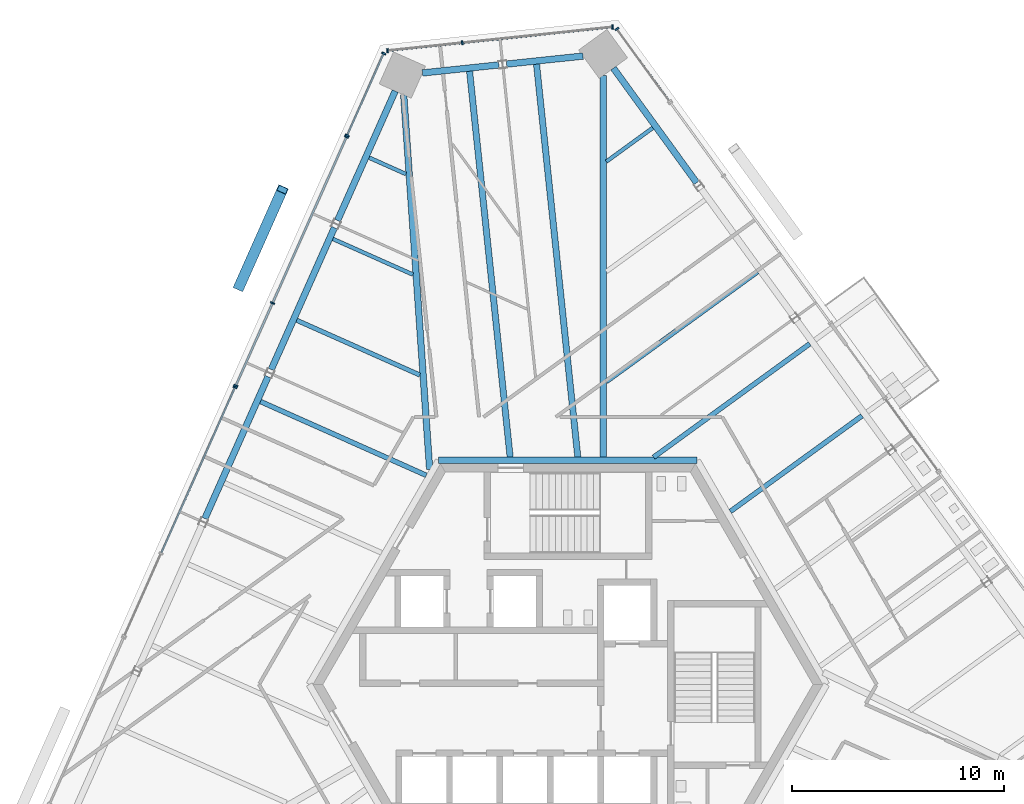
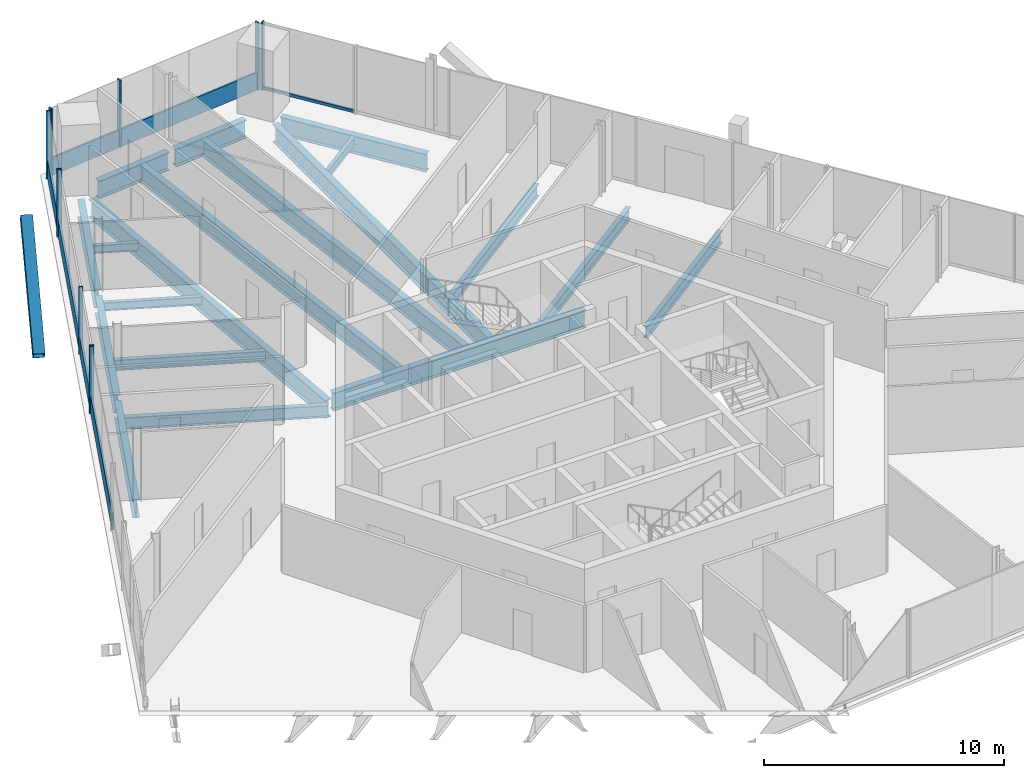
# One storey, part 8 of 19: 19 beams, 18 members, 5 elements without a shape of their own.
"""IFC4 building model written with IfcOpenShell, lengths in metres."""

from ifc_helpers import new_model, si_unit, direction, frame, origin, origin_2d, place, context, subcontext, project, spatial, rectangle, hollow_rectangle, i_section, extrude, source, transform, mapped, material, material_profile, profile_set, type_object, element, aggregate, save


model = new_model("IFC4")

# Units and contexts
model_context = context("Model", 3, precision=1e-05, world=origin(), true_north=direction((0.0, 1.0)))
body_context = subcontext(model_context, "Body", "Model", "MODEL_VIEW")
ifc_project = project(units=[si_unit("LENGTHUNIT", "METRE"), si_unit("AREAUNIT", "SQUARE_METRE"), si_unit("VOLUMEUNIT", "CUBIC_METRE"), si_unit("PLANEANGLEUNIT", "RADIAN"), si_unit("MASSUNIT", "GRAM", prefix="KILO")], contexts=[model_context])

# Site, building, storey
site_placement = place(None, origin())
site = spatial("IfcSite", under=ifc_project, at=site_placement, CompositionType="ELEMENT")
building_placement = place(site_placement, origin())
building = spatial("IfcBuilding", under=site, at=building_placement, Name="Triune Harvest Tower", CompositionType="ELEMENT")
storey_placement = place(building_placement, frame((0.0, 0.0, 244.89990234375)))
storey = spatial("IfcBuildingStorey", under=building, at=storey_placement, Name="L64", CompositionType="ELEMENT", Elevation=244.89990234375)

# Curtain wall, member
ifc_material_1 = material(Name="Aluminium bronze anodised", Category="aluminium")
curtain_wall_type_1 = type_object("IfcCurtainWallType", Name="CW-6 Balcony window wall", PredefinedType="NOTDEFINED", material=ifc_material_1)
curtain_wall_1_placement = place(storey_placement, origin())
curtain_wall_1 = element("IfcCurtainWall", 1, at=curtain_wall_1_placement, inside=storey, type_object=curtain_wall_type_1, Name="CW-6 B6-F1 L64 run 1002")
ifc_material_2 = material(Name="Aluminium bronze anodised", Category="aluminium")
ifc_material_profile_1 = material_profile(ifc_material_2, rectangle(XDim=0.090087890625, YDim=0.14990234375, at=origin_2d()), Name="TR-6 transom 90 x 150")
ifc_profile_set_1 = profile_set([ifc_material_profile_1], Name="Aluminium bronze anodised")
member_type_1 = type_object("IfcMemberType", Name="TR-6 transom 90 x 150", PredefinedType="USERDEFINED", material=ifc_profile_set_1)
member_1_placement = place(storey_placement, frame((4.76171875, 27.47802734375, 0.0751953125), z_axis=(-0.587779257548, 0.809021349778, 0.0), x_axis=(-0.809021349778, -0.587779257548, 0.0)))
member_1 = element("IfcMember", 2, at=member_1_placement, type_object=member_type_1, Name="CW-6 transom B6-F1 1002.1", ObjectType="TRANSOM", PredefinedType="USERDEFINED", context=body_context, shape_type="SweptSolid", body=[
    extrude(rectangle(XDim=0.090087890625, YDim=0.14990234375, at=origin_2d()), origin(), (0.0, 0.0, 1.0), 4.1435546875),
])

# Beams
ifc_material_3 = material(Name="Steel ASTM A992 Gr 50", Category="steel")
ifc_material_profile_2 = material_profile(ifc_material_3, i_section(OverallWidth=0.3046875, OverallDepth=0.914306640625, WebThickness=0.0166015625, FlangeThickness=0.02587890625, at=origin_2d()), Name="W36x160")
ifc_profile_set_2 = profile_set([ifc_material_profile_2], Name="Steel ASTM A992 Gr 50")
beam_type_1 = type_object("IfcBeamType", Name="CG-1 Core ring girder W36x160", PredefinedType="BEAM", material=ifc_profile_set_2)
shared_shape_1 = source(origin(), body_context, "Body", "SweptSolid", [
    extrude(i_section(OverallWidth=0.3046875, OverallDepth=0.914306640625, WebThickness=0.0166015625, FlangeThickness=0.02587890625, at=origin_2d()), origin(), (0.0, 0.0, 1.0), 12.17578125),
])
beam_1_placement = place(storey_placement, frame((6.087890625, 10.544677734375, -0.6171875), z_axis=(-1.0, 0.0, 0.0), x_axis=(0.0, -1.0, 0.0)))
element("IfcBeam", 3, at=beam_1_placement, inside=storey, type_object=beam_type_1, Name="beam/L64/CG2", PredefinedType="BEAM", context=body_context, shape_type="MappedRepresentation", body=[
    mapped(shared_shape_1, transform((0.0, 0.0, 0.0), scale=1.0)),
])
ifc_material_4 = material(Name="Steel ASTM A992 Gr 50", Category="steel")
ifc_material_profile_3 = material_profile(ifc_material_4, i_section(OverallWidth=0.3046875, OverallDepth=0.914306640625, WebThickness=0.0166015625, FlangeThickness=0.02587890625, at=origin_2d()), Name="W36x160")
ifc_profile_set_3 = profile_set([ifc_material_profile_3], Name="Steel ASTM A992 Gr 50")
beam_type_2 = type_object("IfcBeamType", Name="SB-1 Spandrel beam W36x160", PredefinedType="SPANDREL", material=ifc_profile_set_3)
shared_shape_2 = source(origin(), body_context, "Body", "SweptSolid", [
    extrude(i_section(OverallWidth=0.3046875, OverallDepth=0.914306640625, WebThickness=0.0166015625, FlangeThickness=0.02587890625, at=origin_2d()), origin(), (0.0, 0.0, 1.0), 6.67041015625),
])
beam_2_placement = place(storey_placement, frame((6.06396484375, 23.617919921875, -0.6171875), z_axis=(-0.587797324645, 0.80900822316, 0.0), x_axis=(-0.80900822316, -0.587797324645, 0.0)))
element("IfcBeam", 4, at=beam_2_placement, inside=storey, type_object=beam_type_2, Name="beam/L64/SB6", PredefinedType="SPANDREL", context=body_context, shape_type="MappedRepresentation", body=[
    mapped(shared_shape_2, transform((0.0, 0.0, 0.0), scale=1.0)),
])
shared_shape_3 = source(origin(), body_context, "Body", "SweptSolid", [
    extrude(i_section(OverallWidth=0.3046875, OverallDepth=0.914306640625, WebThickness=0.0166015625, FlangeThickness=0.02587890625, at=origin_2d()), origin(), (0.0, 0.0, 1.0), 7.31103515625),
])
beam_3_placement = place(storey_placement, frame((-14.114990234375, 14.489013671875, -0.6171875), z_axis=(-0.406761135511, -0.913534552514, 0.0), x_axis=(0.913534552514, -0.406761135511, 0.0)))
element("IfcBeam", 5, at=beam_3_placement, inside=storey, type_object=beam_type_2, Name="beam/L64/SB11", PredefinedType="SPANDREL", context=body_context, shape_type="MappedRepresentation", body=[
    mapped(shared_shape_3, transform((0.0, 0.0, 0.0), scale=1.0)),
])
shared_shape_4 = source(origin(), body_context, "Body", "SweptSolid", [
    extrude(i_section(OverallWidth=0.3046875, OverallDepth=0.914306640625, WebThickness=0.0166015625, FlangeThickness=0.02587890625, at=origin_2d()), origin(), (0.0, 0.0, 1.0), 3.614990234375),
])
for number, where, z_axis, x_axis, name in (
    (6, (0.710693359375, 29.58203125, -0.6171875), (-0.994520245169, -0.104544162673, 0.0), (0.104544162673, -0.994520245169, 0.0), "beam/L64/SB7"),
    (7, (-3.25048828125, 29.165771484375, -0.6171875), (-0.994520245169, -0.104544162673, 0.0), (0.104544162673, -0.994520245169, 0.0), "beam/L64/SB8"),
):
    element("IfcBeam", number, at=place(storey_placement, frame(where, z_axis=z_axis, x_axis=x_axis)), inside=storey, type_object=beam_type_2, Name=name, PredefinedType="SPANDREL", context=body_context, shape_type="MappedRepresentation", body=[
        mapped(shared_shape_4, transform((0.0, 0.0, 0.0), scale=1.0)),
    ])
shared_shape_5 = source(origin(), body_context, "Body", "SweptSolid", [
    extrude(i_section(OverallWidth=0.3046875, OverallDepth=0.914306640625, WebThickness=0.0166015625, FlangeThickness=0.02587890625, at=origin_2d()), origin(), (0.0, 0.0, 1.0), 6.670166015625),
])
beam_4_placement = place(storey_placement, frame((-8.128662109375, 27.9345703125, -0.6171875), z_axis=(-0.406753053854, -0.913538150917, 0.0), x_axis=(0.913538150917, -0.406753053854, 0.0)))
element("IfcBeam", 8, at=beam_4_placement, inside=storey, type_object=beam_type_2, Name="beam/L64/SB9", PredefinedType="SPANDREL", context=body_context, shape_type="MappedRepresentation", body=[
    mapped(shared_shape_5, transform((0.0, 0.0, 0.0), scale=1.0)),
])
shared_shape_6 = source(origin(), body_context, "Body", "SweptSolid", [
    extrude(i_section(OverallWidth=0.3046875, OverallDepth=0.914306640625, WebThickness=0.0166015625, FlangeThickness=0.02587890625, at=origin_2d()), origin(), (0.0, 0.0, 1.0), 7.311279296875),
])
beam_5_placement = place(storey_placement, frame((-10.991455078125, 21.504638671875, -0.6171875), z_axis=(-0.406720859208, -0.91355248491, 0.0), x_axis=(0.91355248491, -0.406720859208, 0.0)))
element("IfcBeam", 9, at=beam_5_placement, inside=storey, type_object=beam_type_2, Name="beam/L64/SB10", PredefinedType="SPANDREL", context=body_context, shape_type="MappedRepresentation", body=[
    mapped(shared_shape_6, transform((0.0, 0.0, 0.0), scale=1.0)),
])
ifc_material_5 = material(Name="Steel ASTM A992 Gr 50", Category="steel")
ifc_material_profile_4 = material_profile(ifc_material_5, i_section(OverallWidth=0.3046875, OverallDepth=0.914306640625, WebThickness=0.0166015625, FlangeThickness=0.02587890625, at=origin_2d()), Name="W36x160")
ifc_profile_set_4 = profile_set([ifc_material_profile_4], Name="Steel ASTM A992 Gr 50")
beam_type_3 = type_object("IfcBeamType", Name="HG-3 Hip girder W36x160", PredefinedType="BEAM", material=ifc_profile_set_4)
shared_shape_7 = source(origin(), body_context, "Body", "SweptSolid", [
    extrude(i_section(OverallWidth=0.3046875, OverallDepth=0.914306640625, WebThickness=0.0166015625, FlangeThickness=0.02587890625, at=origin_2d()), origin(), (0.0, 0.0, 1.0), 17.96484375),
])
beam_6_placement = place(storey_placement, frame((1.658203125, 28.661865234375, -0.6171875), z_axis=(0.0, -1.0, 0.0), x_axis=(1.0, 0.0, 0.0)))
element("IfcBeam", 10, at=beam_6_placement, inside=storey, type_object=beam_type_3, Name="beam/L64/HG3", PredefinedType="BEAM", context=body_context, shape_type="MappedRepresentation", body=[
    mapped(shared_shape_7, transform((0.0, 0.0, 0.0), scale=1.0)),
])
shared_shape_8 = source(origin(), body_context, "Body", "SweptSolid", [
    extrude(i_section(OverallWidth=0.3046875, OverallDepth=0.914306640625, WebThickness=0.0166015625, FlangeThickness=0.02587890625, at=origin_2d()), origin(), (0.0, 0.0, 1.0), 17.6748046875),
])
beam_7_placement = place(storey_placement, frame((-7.728515625, 27.756591796875, -0.6171875), z_axis=(0.069119702871, -0.997608373399, 0.0), x_axis=(0.997608373399, 0.069119702871, 0.0)))
element("IfcBeam", 11, at=beam_7_placement, inside=storey, type_object=beam_type_3, Name="beam/L64/HG4", PredefinedType="BEAM", context=body_context, shape_type="MappedRepresentation", body=[
    mapped(shared_shape_8, transform((0.0, 0.0, 0.0), scale=1.0)),
])
ifc_material_6 = material(Name="Steel ASTM A992 Gr 50", Category="steel")
ifc_material_profile_5 = material_profile(ifc_material_6, i_section(OverallWidth=0.2099609375, OverallDepth=0.535888671875, WebThickness=0.010986328125, FlangeThickness=0.017333984375, at=origin_2d()), Name="W21x68")
ifc_profile_set_5 = profile_set([ifc_material_profile_5], Name="Steel ASTM A992 Gr 50")
beam_type_4 = type_object("IfcBeamType", Name="JT-2 Floor joist W21x68", PredefinedType="JOIST", material=ifc_profile_set_5)
shared_shape_9 = source(origin(), body_context, "Body", "SweptSolid", [
    extrude(i_section(OverallWidth=0.2099609375, OverallDepth=0.535888671875, WebThickness=0.010986328125, FlangeThickness=0.017333984375, at=origin_2d()), origin(), (0.0, 0.0, 1.0), 6.346435546875),
])
beam_8_placement = place(storey_placement, frame((-12.76513671875, 17.146484375, -0.427978515625), z_axis=(0.913549614508, -0.406727306476, 0.0), x_axis=(0.406727306476, 0.913549614508, 0.0)))
element("IfcBeam", 12, at=beam_8_placement, inside=storey, type_object=beam_type_4, Name="beam/L64/JT15", PredefinedType="JOIST", context=body_context, shape_type="MappedRepresentation", body=[
    mapped(shared_shape_9, transform((0.0, 0.0, 0.0), scale=1.0)),
])
ifc_material_7 = material(Name="Steel ASTM A992 Gr 50", Category="steel")
ifc_material_profile_6 = material_profile(ifc_material_7, i_section(OverallWidth=0.22900390625, OverallDepth=0.612060546875, WebThickness=0.011962890625, FlangeThickness=0.01953125, at=origin_2d()), Name="W24x84")
ifc_profile_set_6 = profile_set([ifc_material_profile_6], Name="Steel ASTM A992 Gr 50")
beam_type_5 = type_object("IfcBeamType", Name="JT-3 Floor joist W24x84", PredefinedType="JOIST", material=ifc_profile_set_6)
shared_shape_10 = source(origin(), body_context, "Body", "SweptSolid", [
    extrude(i_section(OverallWidth=0.22900390625, OverallDepth=0.612060546875, WebThickness=0.011962890625, FlangeThickness=0.01953125, at=origin_2d()), origin(), (0.0, 0.0, 1.0), 7.659423828125),
])
beam_9_placement = place(storey_placement, frame((13.845458984375, 12.648193359375, -0.466064453125), z_axis=(-0.809007534686, -0.587798272217, 0.0), x_axis=(0.587798272217, -0.809007534686, 0.0)))
element("IfcBeam", 13, at=beam_9_placement, inside=storey, type_object=beam_type_5, Name="beam/L64/JT6", PredefinedType="JOIST", context=body_context, shape_type="MappedRepresentation", body=[
    mapped(shared_shape_10, transform((0.0, 0.0, 0.0), scale=1.0)),
])
shared_shape_11 = source(origin(), body_context, "Body", "SweptSolid", [
    extrude(i_section(OverallWidth=0.22900390625, OverallDepth=0.612060546875, WebThickness=0.011962890625, FlangeThickness=0.01953125, at=origin_2d()), origin(), (0.0, 0.0, 1.0), 9.084716796875),
])
beam_10_placement = place(storey_placement, frame((11.38330078125, 16.036865234375, -0.466064453125), z_axis=(-0.809014901919, -0.5877881323, 0.0), x_axis=(0.5877881323, -0.809014901919, 0.0)))
element("IfcBeam", 14, at=beam_10_placement, inside=storey, type_object=beam_type_5, Name="beam/L64/JT7", PredefinedType="JOIST", context=body_context, shape_type="MappedRepresentation", body=[
    mapped(shared_shape_11, transform((0.0, 0.0, 0.0), scale=1.0)),
])
shared_shape_12 = source(origin(), body_context, "Body", "SweptSolid", [
    extrude(i_section(OverallWidth=0.22900390625, OverallDepth=0.612060546875, WebThickness=0.011962890625, FlangeThickness=0.01953125, at=origin_2d()), origin(), (0.0, 0.0, 1.0), 8.789306640625),
])
beam_11_placement = place(storey_placement, frame((8.921142578125, 19.42578125, -0.466064453125), z_axis=(-0.809011065255, -0.587793412939, 0.0), x_axis=(0.587793412939, -0.809011065255, 0.0)))
element("IfcBeam", 15, at=beam_11_placement, inside=storey, type_object=beam_type_5, Name="beam/L64/JT8", PredefinedType="JOIST", context=body_context, shape_type="MappedRepresentation", body=[
    mapped(shared_shape_12, transform((0.0, 0.0, 0.0), scale=1.0)),
])
ifc_material_8 = material(Name="Steel ASTM A992 Gr 50", Category="steel")
ifc_material_profile_7 = material_profile(ifc_material_8, i_section(OverallWidth=0.180908203125, OverallDepth=0.41650390625, WebThickness=0.010986328125, FlangeThickness=0.01806640625, at=origin_2d()), Name="W16x57")
ifc_profile_set_7 = profile_set([ifc_material_profile_7], Name="Steel ASTM A992 Gr 50")
beam_type_6 = type_object("IfcBeamType", Name="JT-1 Floor joist W16x57", PredefinedType="JOIST", material=ifc_profile_set_7)
shared_shape_13 = source(origin(), body_context, "Body", "SweptSolid", [
    extrude(i_section(OverallWidth=0.180908203125, OverallDepth=0.41650390625, WebThickness=0.010986328125, FlangeThickness=0.01806640625, at=origin_2d()), origin(), (0.0, 0.0, 1.0), 2.70263671875),
])
beam_12_placement = place(storey_placement, frame((3.9970703125, 26.203369140625, -0.3681640625), z_axis=(-0.809013338029, -0.587790284788, 0.0), x_axis=(0.587790284788, -0.809013338029, 0.0)))
element("IfcBeam", 16, at=beam_12_placement, inside=storey, type_object=beam_type_6, Name="beam/L64/JT10", PredefinedType="JOIST", context=body_context, shape_type="MappedRepresentation", body=[
    mapped(shared_shape_13, transform((0.0, 0.0, 0.0), scale=1.0)),
])
ifc_material_9 = material(Name="Steel ASTM A992 Gr 50", Category="steel")
ifc_material_profile_8 = material_profile(ifc_material_9, i_section(OverallWidth=0.2919921875, OverallDepth=0.8408203125, WebThickness=0.0146484375, FlangeThickness=0.021728515625, at=origin_2d()), Name="W33x130")
ifc_profile_set_8 = profile_set([ifc_material_profile_8], Name="Steel ASTM A992 Gr 50")
beam_type_7 = type_object("IfcBeamType", Name="JT-6 Floor joist W33x130", PredefinedType="JOIST", material=ifc_profile_set_8)
shared_shape_14 = source(origin(), body_context, "Body", "SweptSolid", [
    extrude(i_section(OverallWidth=0.2919921875, OverallDepth=0.8408203125, WebThickness=0.0146484375, FlangeThickness=0.021728515625, at=origin_2d()), origin(), (0.0, 0.0, 1.0), 18.60400390625),
])
beam_13_placement = place(storey_placement, frame((-1.476318359375, 29.198974609375, -0.580322265625), z_axis=(0.104538595675, -0.994520830357, 0.0), x_axis=(0.994520830357, 0.104538595675, 0.0)))
element("IfcBeam", 17, at=beam_13_placement, inside=storey, type_object=beam_type_7, Name="beam/L64/JT11", PredefinedType="JOIST", context=body_context, shape_type="MappedRepresentation", body=[
    mapped(shared_shape_14, transform((0.0, 0.0, 0.0), scale=1.0)),
])
shared_shape_15 = source(origin(), body_context, "Body", "SweptSolid", [
    extrude(i_section(OverallWidth=0.2919921875, OverallDepth=0.8408203125, WebThickness=0.0146484375, FlangeThickness=0.021728515625, at=origin_2d()), origin(), (0.0, 0.0, 1.0), 18.27099609375),
])
beam_14_placement = place(storey_placement, frame((-4.626708984375, 28.867919921875, -0.580322265625), z_axis=(0.104532454263, -0.99452147589, 0.0), x_axis=(0.99452147589, 0.104532454263, 0.0)))
element("IfcBeam", 18, at=beam_14_placement, inside=storey, type_object=beam_type_7, Name="beam/L64/JT12", PredefinedType="JOIST", context=body_context, shape_type="MappedRepresentation", body=[
    mapped(shared_shape_15, transform((0.0, 0.0, 0.0), scale=1.0)),
])
shared_shape_16 = source(origin(), body_context, "Body", "SweptSolid", [
    extrude(i_section(OverallWidth=0.180908203125, OverallDepth=0.41650390625, WebThickness=0.010986328125, FlangeThickness=0.01806640625, at=origin_2d()), origin(), (0.0, 0.0, 1.0), 1.899169921875),
])
beam_15_placement = place(storey_placement, frame((-9.357666015625, 24.7998046875, -0.3681640625), z_axis=(0.913535666592, -0.406758633422, 0.0), x_axis=(0.406758633422, 0.913535666592, 0.0)))
element("IfcBeam", 19, at=beam_15_placement, inside=storey, type_object=beam_type_6, Name="beam/L64/JT13", PredefinedType="JOIST", context=body_context, shape_type="MappedRepresentation", body=[
    mapped(shared_shape_16, transform((0.0, 0.0, 0.0), scale=1.0)),
])
shared_shape_17 = source(origin(), body_context, "Body", "SweptSolid", [
    extrude(i_section(OverallWidth=0.180908203125, OverallDepth=0.41650390625, WebThickness=0.010986328125, FlangeThickness=0.01806640625, at=origin_2d()), origin(), (0.0, 0.0, 1.0), 4.12255859375),
])
beam_16_placement = place(storey_placement, frame((-11.061279296875, 20.972900390625, -0.3681640625), z_axis=(0.913547607509, -0.406731814363, 0.0), x_axis=(0.406731814363, 0.913547607509, 0.0)))
element("IfcBeam", 20, at=beam_16_placement, inside=storey, type_object=beam_type_6, Name="beam/L64/JT14", PredefinedType="JOIST", context=body_context, shape_type="MappedRepresentation", body=[
    mapped(shared_shape_17, transform((0.0, 0.0, 0.0), scale=1.0)),
])
shared_shape_18 = source(origin(), body_context, "Body", "SweptSolid", [
    extrude(i_section(OverallWidth=0.22900390625, OverallDepth=0.612060546875, WebThickness=0.011962890625, FlangeThickness=0.01953125, at=origin_2d()), origin(), (0.0, 0.0, 1.0), 8.539794921875),
])
beam_17_placement = place(storey_placement, frame((-14.46875, 13.319580078125, -0.466064453125), z_axis=(0.913548460016, -0.406729899567, 0.0), x_axis=(0.406729899567, 0.913548460016, 0.0)))
element("IfcBeam", 21, at=beam_17_placement, inside=storey, type_object=beam_type_5, Name="beam/L64/JT16", PredefinedType="JOIST", context=body_context, shape_type="MappedRepresentation", body=[
    mapped(shared_shape_18, transform((0.0, 0.0, 0.0), scale=1.0)),
])

# Member
ifc_material_10 = material(Name="Steel ASTM A572 Gr 50", Category="steel")
ifc_material_profile_9 = material_profile(ifc_material_10, hollow_rectangle(XDim=0.5, YDim=0.5, WallThickness=0.030029296875, at=origin_2d()), Name="Box 500x500x30")
ifc_profile_set_9 = profile_set([ifc_material_profile_9], Name="Steel ASTM A572 Gr 50")
member_type_2 = type_object("IfcMemberType", Name="BR-3 Brace Box 500x500x30", PredefinedType="BRACE", material=ifc_profile_set_9)
shared_shape_19 = source(origin(), body_context, "Body", "SweptSolid", [
    extrude(hollow_rectangle(XDim=0.5, YDim=0.5, WallThickness=0.030029296875, at=origin_2d()), origin(), (0.0, 0.0, 1.0), 6.1708984375),
])
member_2_placement = place(storey_placement, frame((-15.4775390625, 18.7197265625, 0.0), z_axis=(0.330352036276, 0.741966717165, 0.583397739752), x_axis=(-0.913542177249, 0.406744010879, 0.0)))
element("IfcMember", 22, at=member_2_placement, inside=storey, type_object=member_type_2, Name="brace/B6-F3/d2/8", PredefinedType="BRACE", context=body_context, shape_type="MappedRepresentation", body=[
    mapped(shared_shape_19, transform((0.0, 0.0, 0.0), scale=1.0)),
])

# Curtain wall, members
ifc_material_11 = material(Name="Aluminium bronze anodised", Category="aluminium")
curtain_wall_type_2 = type_object("IfcCurtainWallType", Name="CW-1 Tower stick curtain wall", PredefinedType="NOTDEFINED", material=ifc_material_11)
curtain_wall_2_placement = place(storey_placement, origin())
curtain_wall_2 = element("IfcCurtainWall", 23, at=curtain_wall_2_placement, inside=storey, type_object=curtain_wall_type_2, Name="CW-1 B6-F2 L64 run 1")
ifc_material_12 = material(Name="Aluminium bronze anodised", Category="aluminium")
ifc_material_profile_10 = material_profile(ifc_material_12, rectangle(XDim=0.199951171875, YDim=0.074951171875, at=origin_2d()), Name="MU-1 mullion 75 x 200")
ifc_profile_set_10 = profile_set([ifc_material_profile_10], Name="Aluminium bronze anodised")
member_type_3 = type_object("IfcMemberType", Name="MU-1 mullion 75 x 200", PredefinedType="MULLION", material=ifc_profile_set_10)
shared_shape_20 = source(origin(), body_context, "Body", "SweptSolid", [
    extrude(rectangle(XDim=0.199951171875, YDim=0.074951171875, at=origin_2d()), origin(), (0.0, 0.0, 1.0), 3.440185546875),
])
member_3_placement = place(storey_placement, frame((2.102294921875, 30.95068359375, 0.0), z_axis=(0.0, 0.0, 1.0), x_axis=(0.104529672907, -0.994521768229, 0.0)))
member_3 = element("IfcMember", 24, at=member_3_placement, type_object=member_type_3, Name="CW-1 mullion B6-F2 1.1", PredefinedType="MULLION", context=body_context, shape_type="MappedRepresentation", body=[
    mapped(shared_shape_20, transform((0.0, 0.0, 0.0), scale=1.0)),
])
member_4_placement = place(storey_placement, frame((-4.972412109375, 30.20703125, 0.0), z_axis=(0.0, 0.0, 1.0), x_axis=(0.104529672907, -0.994521768229, 0.0)))
member_4 = element("IfcMember", 25, at=member_4_placement, type_object=member_type_3, Name="CW-1 mullion B6-F2 1.3", PredefinedType="MULLION", context=body_context, shape_type="MappedRepresentation", body=[
    mapped(shared_shape_20, transform((0.0, 0.0, 0.0), scale=1.0)),
])
member_5_placement = place(storey_placement, frame((-8.4912109375, 29.837158203125, 0.0), z_axis=(0.0, 0.0, 1.0), x_axis=(0.104529672907, -0.994521768229, 0.0)))
member_5 = element("IfcMember", 26, at=member_5_placement, type_object=member_type_3, Name="CW-1 mullion B6-F2 1.4", PredefinedType="MULLION", context=body_context, shape_type="MappedRepresentation", body=[
    mapped(shared_shape_20, transform((0.0, 0.0, 0.0), scale=1.0)),
])

curtain_wall_3_placement = place(storey_placement, origin())
curtain_wall_3 = element("IfcCurtainWall", 27, at=curtain_wall_3_placement, inside=storey, type_object=curtain_wall_type_2, Name="CW-1 B6-F3 L64 run 1")
member_6_placement = place(storey_placement, frame((-8.669921875, 29.707275390625, 0.0), z_axis=(0.0, 0.0, 1.0), x_axis=(0.913544574453, -0.406738626747, 0.0)))
member_6 = element("IfcMember", 28, at=member_6_placement, type_object=member_type_3, Name="CW-1 mullion B6-F3 1.1", PredefinedType="MULLION", context=body_context, shape_type="MappedRepresentation", body=[
    mapped(shared_shape_20, transform((0.0, 0.0, 0.0), scale=1.0)),
])
member_7_placement = place(storey_placement, frame((-10.388427734375, 25.84765625, 0.0), z_axis=(0.0, 0.0, 1.0), x_axis=(0.913544574453, -0.406738626747, 0.0)))
member_7 = element("IfcMember", 29, at=member_7_placement, type_object=member_type_3, Name="CW-1 mullion B6-F3 1.2", PredefinedType="MULLION", context=body_context, shape_type="MappedRepresentation", body=[
    mapped(shared_shape_20, transform((0.0, 0.0, 0.0), scale=1.0)),
])

ifc_material_13 = material(Name="Aluminium bronze anodised", Category="aluminium")
curtain_wall_type_3 = type_object("IfcCurtainWallType", Name="CW-7 Tower stick curtain wall with insulated spandrel infill", PredefinedType="NOTDEFINED", material=ifc_material_13)
curtain_wall_4_placement = place(storey_placement, origin())
curtain_wall_4 = element("IfcCurtainWall", 30, at=curtain_wall_4_placement, inside=storey, type_object=curtain_wall_type_3, Name="CW-7 B6-F3 L64 run 1001")
member_8_placement = place(storey_placement, frame((-10.4189453125, 25.779052734375, 0.0), z_axis=(0.0, 0.0, 1.0), x_axis=(0.913546350866, -0.406734636858, 0.0)))
member_8 = element("IfcMember", 31, at=member_8_placement, type_object=member_type_3, Name="CW-7 mullion B6-F3 1001.1", PredefinedType="MULLION", context=body_context, shape_type="MappedRepresentation", body=[
    mapped(shared_shape_20, transform((0.0, 0.0, 0.0), scale=1.0)),
])
member_9_placement = place(storey_placement, frame((-13.901611328125, 17.956787109375, 0.0), z_axis=(0.0, 0.0, 1.0), x_axis=(0.913546350866, -0.406734636858, 0.0)))
member_9 = element("IfcMember", 32, at=member_9_placement, type_object=member_type_3, Name="CW-7 mullion B6-F3 1001.3", PredefinedType="MULLION", context=body_context, shape_type="MappedRepresentation", body=[
    mapped(shared_shape_20, transform((0.0, 0.0, 0.0), scale=1.0)),
])
member_10_placement = place(storey_placement, frame((-15.63525390625, 14.062744140625, 0.0), z_axis=(0.0, 0.0, 1.0), x_axis=(0.913546350866, -0.406734636858, 0.0)))
member_10 = element("IfcMember", 33, at=member_10_placement, type_object=member_type_3, Name="CW-7 mullion B6-F3 1001.4", PredefinedType="MULLION", context=body_context, shape_type="MappedRepresentation", body=[
    mapped(shared_shape_20, transform((0.0, 0.0, 0.0), scale=1.0)),
])

# Curtain wall, member
curtain_wall_5_placement = place(storey_placement, origin())
curtain_wall_5 = element("IfcCurtainWall", 34, at=curtain_wall_5_placement, inside=storey, type_object=curtain_wall_type_2, Name="CW-1 B6-F3 L64 run 2001")
member_11_placement = place(storey_placement, frame((-15.665771484375, 13.994140625, 0.0), z_axis=(0.0, 0.0, 1.0), x_axis=(0.913542187998, -0.406743986739, 0.0)))
member_11 = element("IfcMember", 35, at=member_11_placement, type_object=member_type_3, Name="CW-1 mullion B6-F3 2001.1", PredefinedType="MULLION", context=body_context, shape_type="MappedRepresentation", body=[
    mapped(shared_shape_20, transform((0.0, 0.0, 0.0), scale=1.0)),
])

# Member
ifc_material_14 = material(Name="Aluminium bronze anodised", Category="aluminium")
ifc_material_profile_11 = material_profile(ifc_material_14, rectangle(XDim=0.199951171875, YDim=0.074951171875, at=origin_2d()), Name="MU-6 mullion 75 x 200")
ifc_profile_set_11 = profile_set([ifc_material_profile_11], Name="Aluminium bronze anodised")
member_type_4 = type_object("IfcMemberType", Name="MU-6 mullion 75 x 200", PredefinedType="MULLION", material=ifc_profile_set_11)
shared_shape_21 = source(origin(), body_context, "Body", "SweptSolid", [
    extrude(rectangle(XDim=0.199951171875, YDim=0.074951171875, at=origin_2d()), origin(), (0.0, 0.0, 1.0), 3.440185546875),
])
member_12_placement = place(storey_placement, frame((2.303955078125, 30.86083984375, 0.0), z_axis=(0.0, 0.0, 1.0), x_axis=(-0.809012097992, -0.587791991527, 0.0)))
member_12 = element("IfcMember", 36, at=member_12_placement, type_object=member_type_4, Name="CW-6 mullion B6-F1 1002.2", PredefinedType="MULLION", context=body_context, shape_type="MappedRepresentation", body=[
    mapped(shared_shape_21, transform((0.0, 0.0, 0.0), scale=1.0)),
])

aggregate(curtain_wall_1, [member_12, member_1])

ifc_material_15 = material(Name="Aluminium bronze anodised", Category="aluminium")
ifc_material_profile_12 = material_profile(ifc_material_15, rectangle(XDim=0.090087890625, YDim=0.89990234375, at=origin_2d()), Name="TR-1 transom 90 x 900")
ifc_profile_set_12 = profile_set([ifc_material_profile_12], Name="Aluminium bronze anodised")
member_type_5 = type_object("IfcMemberType", Name="TR-1 transom 90 x 900", PredefinedType="USERDEFINED", material=ifc_profile_set_12)
shared_shape_22 = source(origin(), body_context, "Body", "SweptSolid", [
    extrude(rectangle(XDim=0.090087890625, YDim=0.89990234375, at=origin_2d()), origin(), (0.0, 0.0, 1.0), 7.038818359375),
])
member_13_placement = place(storey_placement, frame((2.06494140625, 30.946533203125, 0.4501953125), z_axis=(-0.994524252306, -0.104506036069, 0.0), x_axis=(0.104506036069, -0.994524252306, 0.0)))
member_13 = element("IfcMember", 37, at=member_13_placement, type_object=member_type_5, Name="CW-1 transom B6-F2 1.1", ObjectType="TRANSOM", PredefinedType="USERDEFINED", context=body_context, shape_type="MappedRepresentation", body=[
    mapped(shared_shape_22, transform((0.0, 0.0, 0.0), scale=1.0)),
])

shared_shape_23 = source(origin(), body_context, "Body", "SweptSolid", [
    extrude(rectangle(XDim=0.090087890625, YDim=0.89990234375, at=origin_2d()), origin(), (0.0, 0.0, 1.0), 3.46337890625),
])
member_14_placement = place(storey_placement, frame((-5.009765625, 30.203125, 0.4501953125), z_axis=(-0.994520506962, -0.10454167223, 0.0), x_axis=(0.10454167223, -0.994520506962, 0.0)))
member_14 = element("IfcMember", 38, at=member_14_placement, type_object=member_type_5, Name="CW-1 transom B6-F2 1.2", ObjectType="TRANSOM", PredefinedType="USERDEFINED", context=body_context, shape_type="MappedRepresentation", body=[
    mapped(shared_shape_23, transform((0.0, 0.0, 0.0), scale=1.0)),
])

aggregate(curtain_wall_2, [member_3, member_4, member_5, member_13, member_14])

shared_shape_24 = source(origin(), body_context, "Body", "SweptSolid", [
    extrude(rectangle(XDim=0.090087890625, YDim=0.89990234375, at=origin_2d()), origin(), (0.0, 0.0, 1.0), 8.487548828125),
])
member_15_placement = place(storey_placement, frame((-10.434326171875, 25.744873046875, 0.4501953125), z_axis=(-0.406725527369, -0.913550406593, 0.0), x_axis=(0.913550406593, -0.406725527369, 0.0)))
member_15 = element("IfcMember", 39, at=member_15_placement, type_object=member_type_5, Name="CW-7 transom B6-F3 1001.1", ObjectType="TRANSOM", PredefinedType="USERDEFINED", context=body_context, shape_type="MappedRepresentation", body=[
    mapped(shared_shape_24, transform((0.0, 0.0, 0.0), scale=1.0)),
])

member_16_placement = place(storey_placement, frame((-15.68115234375, 13.9599609375, 0.4501953125), z_axis=(-0.406736215364, -0.913545648072, 0.0), x_axis=(0.913545648072, -0.406736215364, 0.0)))
member_16 = element("IfcMember", 40, at=member_16_placement, type_object=member_type_5, Name="CW-1 transom B6-F3 2001.1", ObjectType="TRANSOM", PredefinedType="USERDEFINED", context=body_context, shape_type="MappedRepresentation", body=[
    mapped(shared_shape_24, transform((0.0, 0.0, 0.0), scale=1.0)),
])

aggregate(curtain_wall_5, [member_11, member_16])

shared_shape_25 = source(origin(), body_context, "Body", "SweptSolid", [
    extrude(rectangle(XDim=0.090087890625, YDim=0.89990234375, at=origin_2d()), origin(), (0.0, 0.0, 1.0), 4.187744140625),
])
member_17_placement = place(storey_placement, frame((-13.9169921875, 17.922607421875, 0.4501953125), z_axis=(-0.406700954253, -0.913561346495, 0.0), x_axis=(0.913561346495, -0.406700954253, 0.0)))
member_17 = element("IfcMember", 41, at=member_17_placement, type_object=member_type_5, Name="CW-7 transom B6-F3 1001.2", ObjectType="TRANSOM", PredefinedType="USERDEFINED", context=body_context, shape_type="MappedRepresentation", body=[
    mapped(shared_shape_25, transform((0.0, 0.0, 0.0), scale=1.0)),
])

aggregate(curtain_wall_4, [member_8, member_9, member_10, member_15, member_17])

shared_shape_26 = source(origin(), body_context, "Body", "SweptSolid", [
    extrude(rectangle(XDim=0.090087890625, YDim=0.89990234375, at=origin_2d()), origin(), (0.0, 0.0, 1.0), 4.150146484375),
])
member_18_placement = place(storey_placement, frame((-8.685302734375, 29.673095703125, 0.4501953125), z_axis=(-0.406738790823, -0.913544501401, 0.0), x_axis=(0.913544501401, -0.406738790823, 0.0)))
member_18 = element("IfcMember", 42, at=member_18_placement, type_object=member_type_5, Name="CW-1 transom B6-F3 1.1", ObjectType="TRANSOM", PredefinedType="USERDEFINED", context=body_context, shape_type="MappedRepresentation", body=[
    mapped(shared_shape_26, transform((0.0, 0.0, 0.0), scale=1.0)),
])

aggregate(curtain_wall_3, [member_6, member_7, member_18])

save(model, "model.ifc")
